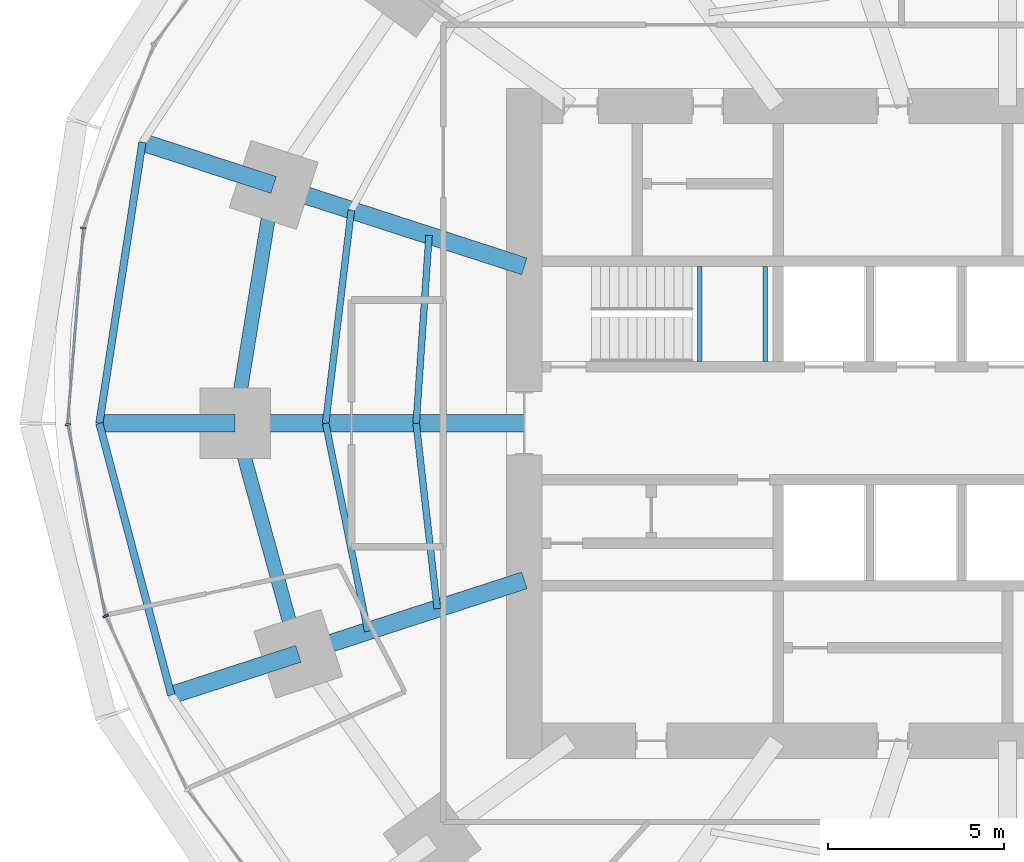
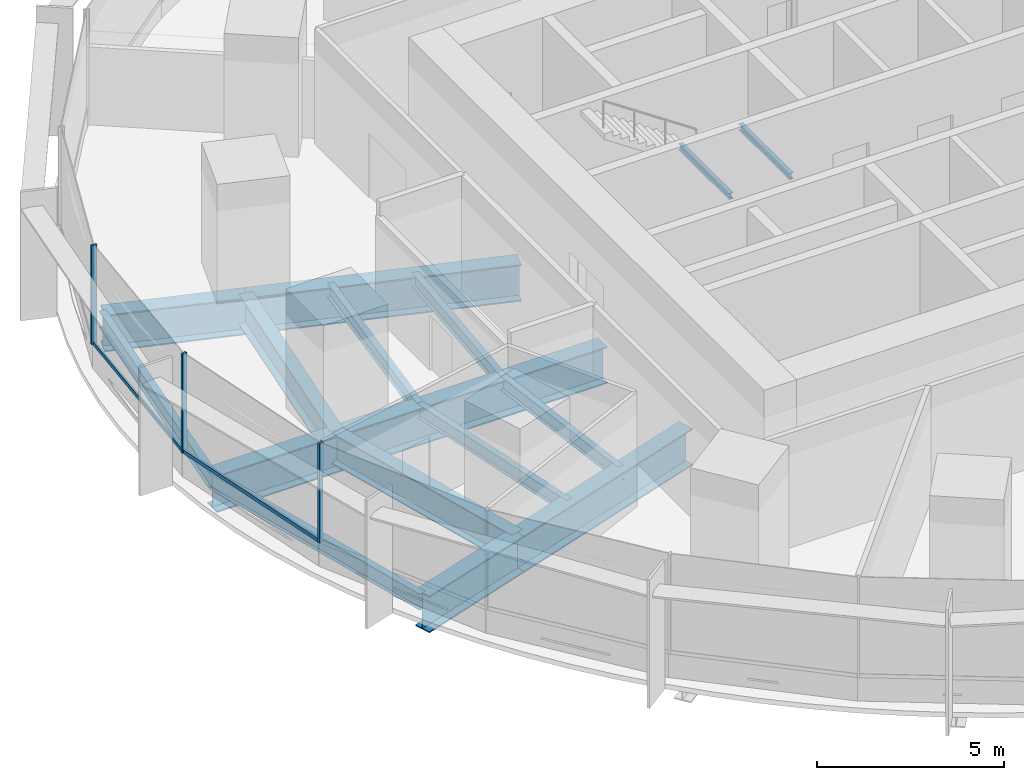
# One storey, part 4 of 15: 16 beams, 5 members, 2 elements without a shape of their own.
"""IFC4 building model written with IfcOpenShell, lengths in metres."""

from ifc_helpers import new_model, si_unit, direction, frame, origin, origin_2d, place, context, subcontext, project, spatial, rectangle, i_section, extrude, material, material_profile, profile_set, type_object, element, aggregate, save


model = new_model("IFC4")

# Units and contexts
model_context = context("Model", 3, precision=1e-05, world=origin(), true_north=direction((0.0, 1.0)))
body_context = subcontext(model_context, "Body", "Model", "MODEL_VIEW")
ifc_project = project(units=[si_unit("LENGTHUNIT", "METRE"), si_unit("AREAUNIT", "SQUARE_METRE"), si_unit("VOLUMEUNIT", "CUBIC_METRE"), si_unit("PLANEANGLEUNIT", "RADIAN"), si_unit("MASSUNIT", "GRAM", prefix="KILO")], contexts=[model_context])

# Site, building, storey
site_placement = place(None, origin())
site = spatial("IfcSite", under=ifc_project, at=site_placement, CompositionType="ELEMENT")
building_placement = place(site_placement, origin())
building = spatial("IfcBuilding", under=site, at=building_placement, Name="Marramba Exchange Tower", CompositionType="ELEMENT")
storey_placement = place(building_placement, frame((0.0, 0.0, 70.0)))
storey = spatial("IfcBuildingStorey", under=building, at=storey_placement, Name="L16", CompositionType="ELEMENT", Elevation=70.0)

# Beams
ifc_material_1 = material(Name="Steel AS/NZS 3679.2 grade 300", Category="steel")
ifc_material_profile_1 = material_profile(ifc_material_1, i_section(OverallWidth=0.5, OverallDepth=1.199951171875, WebThickness=0.01611328125, FlangeThickness=0.0400390625, at=origin_2d()), Name="1200WB455")
ifc_profile_set_1 = profile_set([ifc_material_profile_1], Name="Steel AS/NZS 3679.2 grade 300")
beam_type_1 = type_object("IfcBeamType", Name="Cantilever girder 1200WB455", PredefinedType="BEAM", material=ifc_profile_set_1)
beam_1_placement = place(storey_placement, frame((-20.808349609375, 6.760986328125, -0.760009765625), z_axis=(-0.951058833549, 0.309009862508, 0.0), x_axis=(-0.309009862508, -0.951058833549, 0.0)))
element("IfcBeam", 1, at=beam_1_placement, inside=storey, type_object=beam_type_1, Name="Cantilever girder L16 TC10", PredefinedType="BEAM", context=body_context, shape_type="SweptSolid", body=[
    extrude(i_section(OverallWidth=0.5, OverallDepth=1.199951171875, WebThickness=0.01611328125, FlangeThickness=0.0400390625, at=origin_2d()), origin(), (0.0, 0.0, 1.0), 3.91162109375),
])
beam_2_placement = place(storey_placement, frame((-21.89990234375, 0.0, -0.760009765625), z_axis=(-1.0, 0.0, 0.0), x_axis=(0.0, -1.0, 0.0)))
element("IfcBeam", 2, at=beam_2_placement, inside=storey, type_object=beam_type_1, Name="Cantilever girder L16 TC11", PredefinedType="BEAM", context=body_context, shape_type="SweptSolid", body=[
    extrude(i_section(OverallWidth=0.5, OverallDepth=1.199951171875, WebThickness=0.01611328125, FlangeThickness=0.0400390625, at=origin_2d()), origin(), (0.0, 0.0, 1.0), 3.85009765625),
])
beam_3_placement = place(storey_placement, frame((-20.109375, -6.533935546875, -0.760009765625), z_axis=(-0.951048759501, -0.309040866314, 0.0), x_axis=(0.309040866314, -0.951048759501, 0.0)))
element("IfcBeam", 3, at=beam_3_placement, inside=storey, type_object=beam_type_1, Name="Cantilever girder L16 TC12", PredefinedType="BEAM", context=body_context, shape_type="SweptSolid", body=[
    extrude(i_section(OverallWidth=0.5, OverallDepth=1.199951171875, WebThickness=0.01611328125, FlangeThickness=0.0400390625, at=origin_2d()), origin(), (0.0, 0.0, 1.0), 3.78564453125),
])
ifc_material_2 = material(Name="Steel AS/NZS 3679.1 grade 300", Category="steel")
ifc_material_profile_2 = material_profile(ifc_material_2, i_section(OverallWidth=0.18994140625, OverallDepth=0.4541015625, WebThickness=0.008544921875, FlangeThickness=0.0126953125, FilletRadius=0.011474609375, at=origin_2d()), Name="460UB67.1")
ifc_profile_set_2 = profile_set([ifc_material_profile_2], Name="Steel AS/NZS 3679.1 grade 300")
beam_type_2 = type_object("IfcBeamType", Name="Floor joist 460UB67.1", PredefinedType="JOIST", material=ifc_profile_set_2)
beam_4_placement = place(storey_placement, frame((-16.40283203125, 5.32958984375, -0.386962890625), z_axis=(-0.068096259546, -0.99767875563, 0.0), x_axis=(0.99767875563, -0.068096259546, 0.0)))
element("IfcBeam", 4, at=beam_4_placement, inside=storey, type_object=beam_type_2, Name="Joist L16 bay 10 row 1", PredefinedType="JOIST", context=body_context, shape_type="SweptSolid", body=[
    extrude(i_section(OverallWidth=0.18994140625, OverallDepth=0.4541015625, WebThickness=0.008544921875, FlangeThickness=0.0126953125, FilletRadius=0.011474609375, at=origin_2d()), origin(), (0.0, 0.0, 1.0), 5.342041015625),
])
beam_5_placement = place(storey_placement, frame((-18.60546875, 6.04541015625, -0.386962890625), z_axis=(-0.119523078538, -0.992831422597, 0.0), x_axis=(0.992831422597, -0.119523078538, 0.0)))
element("IfcBeam", 5, at=beam_5_placement, inside=storey, type_object=beam_type_2, Name="Joist L16 bay 10 row 2", PredefinedType="JOIST", context=body_context, shape_type="SweptSolid", body=[
    extrude(i_section(OverallWidth=0.18994140625, OverallDepth=0.4541015625, WebThickness=0.008544921875, FlangeThickness=0.0126953125, FilletRadius=0.011474609375, at=origin_2d()), origin(), (0.0, 0.0, 1.0), 6.089111328125),
])
beam_6_placement = place(storey_placement, frame((-16.7666015625, 0.0, -0.386962890625), z_axis=(0.112888968594, -0.993607609054, 0.0), x_axis=(0.993607609054, 0.112888968594, 0.0)))
element("IfcBeam", 6, at=beam_6_placement, inside=storey, type_object=beam_type_2, Name="Joist L16 bay 11 row 1", PredefinedType="JOIST", context=body_context, shape_type="SweptSolid", body=[
    extrude(i_section(OverallWidth=0.18994140625, OverallDepth=0.4541015625, WebThickness=0.008544921875, FlangeThickness=0.0126953125, FilletRadius=0.011474609375, at=origin_2d()), origin(), (0.0, 0.0, 1.0), 5.28759765625),
])
beam_7_placement = place(storey_placement, frame((-19.333251953125, 0.0, -0.386962890625), z_axis=(0.198489047047, -0.980103105904, 0.0), x_axis=(0.980103105904, 0.198489047047, 0.0)))
element("IfcBeam", 7, at=beam_7_placement, inside=storey, type_object=beam_type_2, Name="Joist L16 bay 11 row 2", PredefinedType="JOIST", context=body_context, shape_type="SweptSolid", body=[
    extrude(i_section(OverallWidth=0.18994140625, OverallDepth=0.4541015625, WebThickness=0.008544921875, FlangeThickness=0.0126953125, FilletRadius=0.011474609375, at=origin_2d()), origin(), (0.0, 0.0, 1.0), 6.013427734375),
])
ifc_material_profile_3 = material_profile(ifc_material_1, i_section(OverallWidth=0.5, OverallDepth=1.199951171875, WebThickness=0.01611328125, FlangeThickness=0.0400390625, at=origin_2d()), Name="1200WB455")
ifc_profile_set_3 = profile_set([ifc_material_profile_3], Name="Steel AS/NZS 3679.2 grade 300")
beam_type_3 = type_object("IfcBeamType", Name="Radial girder 1200WB455", PredefinedType="BEAM", material=ifc_profile_set_3)
beam_8_placement = place(storey_placement, frame((-13.699951171875, 4.451416015625, -0.760009765625), z_axis=(-0.951059990189, 0.309006302624, 0.0), x_axis=(-0.309006302624, -0.951059990189, 0.0)))
element("IfcBeam", 8, at=beam_8_placement, inside=storey, type_object=beam_type_3, Name="Radial girder L16 TC10", PredefinedType="BEAM", context=body_context, shape_type="SweptSolid", body=[
    extrude(i_section(OverallWidth=0.5, OverallDepth=1.199951171875, WebThickness=0.01611328125, FlangeThickness=0.0400390625, at=origin_2d()), origin(), (0.0, 0.0, 1.0), 7.47412109375),
])
beam_9_placement = place(storey_placement, frame((-13.699951171875, 0.0, -0.760009765625), z_axis=(-1.0, 0.0, 0.0), x_axis=(0.0, -1.0, 0.0)))
element("IfcBeam", 9, at=beam_9_placement, inside=storey, type_object=beam_type_3, Name="Radial girder L16 TC11", PredefinedType="BEAM", context=body_context, shape_type="SweptSolid", body=[
    extrude(i_section(OverallWidth=0.5, OverallDepth=1.199951171875, WebThickness=0.01611328125, FlangeThickness=0.0400390625, at=origin_2d()), origin(), (0.0, 0.0, 1.0), 8.199951171875),
])
beam_10_placement = place(storey_placement, frame((-13.699951171875, -4.451416015625, -0.760009765625), z_axis=(-0.951057759669, -0.309013167637, 0.0), x_axis=(0.309013167637, -0.951057759669, 0.0)))
element("IfcBeam", 10, at=beam_10_placement, inside=storey, type_object=beam_type_3, Name="Radial girder L16 TC12", PredefinedType="BEAM", context=body_context, shape_type="SweptSolid", body=[
    extrude(i_section(OverallWidth=0.5, OverallDepth=1.199951171875, WebThickness=0.01611328125, FlangeThickness=0.0400390625, at=origin_2d()), origin(), (0.0, 0.0, 1.0), 6.7392578125),
])
ifc_material_profile_4 = material_profile(ifc_material_1, i_section(OverallWidth=0.39990234375, OverallDepth=1.0, WebThickness=0.01611328125, FlangeThickness=0.031982421875, at=origin_2d()), Name="1000WB322")
ifc_profile_set_4 = profile_set([ifc_material_profile_4], Name="Steel AS/NZS 3679.2 grade 300")
beam_type_4 = type_object("IfcBeamType", Name="Ring beam 1000WB322", PredefinedType="SPANDREL", material=ifc_profile_set_4)
beam_11_placement = place(storey_placement, frame((-20.808349609375, 6.760986328125, -0.659912109375), z_axis=(-0.159384865399, -0.987216523708, 0.0), x_axis=(0.987216523708, -0.159384865399, 0.0)))
element("IfcBeam", 11, at=beam_11_placement, inside=storey, type_object=beam_type_4, Name="Ring beam L16 TC10-TC11", PredefinedType="SPANDREL", context=body_context, shape_type="SweptSolid", body=[
    extrude(i_section(OverallWidth=0.39990234375, OverallDepth=1.0, WebThickness=0.01611328125, FlangeThickness=0.031982421875, at=origin_2d()), origin(), (0.0, 0.0, 1.0), 6.8486328125),
])
beam_12_placement = place(storey_placement, frame((-21.89990234375, 0.0, -0.659912109375), z_axis=(0.264291166956, -0.964442937176, 0.0), x_axis=(0.964442937176, 0.264291166956, 0.0)))
element("IfcBeam", 12, at=beam_12_placement, inside=storey, type_object=beam_type_4, Name="Ring beam L16 TC11-TC12", PredefinedType="SPANDREL", context=body_context, shape_type="SweptSolid", body=[
    extrude(i_section(OverallWidth=0.39990234375, OverallDepth=1.0, WebThickness=0.01611328125, FlangeThickness=0.031982421875, at=origin_2d()), origin(), (0.0, 0.0, 1.0), 6.77490234375),
])
ifc_material_profile_5 = material_profile(ifc_material_2, i_section(OverallWidth=0.208984375, OverallDepth=0.528076171875, WebThickness=0.009521484375, FlangeThickness=0.01318359375, FilletRadius=0.013916015625, at=origin_2d()), Name="530UB82.0")
ifc_profile_set_5 = profile_set([ifc_material_profile_5], Name="Steel AS/NZS 3679.1 grade 300")
beam_type_5 = type_object("IfcBeamType", Name="Slab edge beam 530UB82.0", PredefinedType="SPANDREL", material=ifc_profile_set_5)
beam_13_placement = place(storey_placement, frame((-24.528564453125, 7.9697265625, -0.424072265625), z_axis=(-0.151490591645, -0.988458699513, 0.0), x_axis=(0.988458699513, -0.151490591645, 0.0)))
element("IfcBeam", 13, at=beam_13_placement, inside=storey, type_object=beam_type_5, Name="Slab edge beam L16 TC10-TC11", PredefinedType="SPANDREL", context=body_context, shape_type="SweptSolid", body=[
    extrude(i_section(OverallWidth=0.208984375, OverallDepth=0.528076171875, WebThickness=0.009521484375, FlangeThickness=0.01318359375, FilletRadius=0.013916015625, at=origin_2d()), origin(), (0.0, 0.0, 1.0), 8.062744140625),
])
beam_14_placement = place(storey_placement, frame((-25.75, 0.0, -0.424072265625), z_axis=(0.25601296674, -0.966673347549, 0.0), x_axis=(0.966673347549, 0.25601296674, 0.0)))
element("IfcBeam", 14, at=beam_14_placement, inside=storey, type_object=beam_type_5, Name="Slab edge beam L16 TC11-TC12", PredefinedType="SPANDREL", context=body_context, shape_type="SweptSolid", body=[
    extrude(i_section(OverallWidth=0.208984375, OverallDepth=0.528076171875, WebThickness=0.009521484375, FlangeThickness=0.01318359375, FilletRadius=0.013916015625, at=origin_2d()), origin(), (0.0, 0.0, 1.0), 7.969482421875),
])
ifc_material_profile_6 = material_profile(ifc_material_2, i_section(OverallWidth=0.133056640625, OverallDepth=0.202880859375, WebThickness=0.005859375, FlangeThickness=0.0078125, FilletRadius=0.0087890625, at=origin_2d()), Name="200UB25.4")
ifc_profile_set_6 = profile_set([ifc_material_profile_6], Name="Steel AS/NZS 3679.1 grade 300")
beam_type_6 = type_object("IfcBeamType", Name="Stair landing beam 200UB25.4", PredefinedType="BEAM", material=ifc_profile_set_6)
for number, where, z_axis, x_axis, name in (
    (15, (-8.723388671875, 1.75, 1.798583984375), (0.0, 1.0, 0.0), (-1.0, 0.0, 0.0), "Stair landing beam SLB1 ST1 L16 1"),
    (16, (-6.866455078125, 1.75, 1.798583984375), (0.0, 1.0, 0.0), (-1.0, 0.0, 0.0), "Stair landing beam SLB1 ST1 L16 2"),
):
    element("IfcBeam", number, at=place(storey_placement, frame(where, z_axis=z_axis, x_axis=x_axis)), inside=storey, type_object=beam_type_6, Name=name, PredefinedType="BEAM", context=body_context, shape_type="SweptSolid", body=[
        extrude(i_section(OverallWidth=0.133056640625, OverallDepth=0.202880859375, WebThickness=0.005859375, FlangeThickness=0.0078125, FilletRadius=0.0087890625, at=origin_2d()), origin(), (0.0, 0.0, 1.0), 2.699951171875),
    ])

# Curtain wall, member
ifc_material_3 = material(Name="Aluminium framing, bronze anodised", Category="aluminium")
curtain_wall_type = type_object("IfcCurtainWallType", Name="Trading floor ribbon curtain wall", PredefinedType="USERDEFINED", material=ifc_material_3)
curtain_wall_1_placement = place(storey_placement, origin())
curtain_wall_1 = element("IfcCurtainWall", 17, at=curtain_wall_1_placement, inside=storey, type_object=curtain_wall_type, Name="Curtain wall CW3 L16 F11-F15", ObjectType="RIBBON CURTAIN WALL", PredefinedType="USERDEFINED")
ifc_material_4 = material(Name="Aluminium mullion, bronze anodised", Category="aluminium")
ifc_material_profile_7 = material_profile(ifc_material_4, rectangle(XDim=0.159912109375, YDim=0.06005859375, at=origin_2d()), Name="CW3 mullion 60x160")
ifc_profile_set_7 = profile_set([ifc_material_profile_7], Name="Aluminium mullion, bronze anodised")
member_type_1 = type_object("IfcMemberType", Name="Trading floor ribbon curtain wall mullion", PredefinedType="MULLION", material=ifc_profile_set_7)
member_1_placement = place(storey_placement, frame((-26.203857421875, 5.539306640625, 0.800048828125), z_axis=(0.0, 0.0, 1.0), x_axis=(0.996772736434, -0.080275225953, 0.0)))
member_1 = element("IfcMember", 18, at=member_1_placement, type_object=member_type_1, Name="CW3 mullion 1", PredefinedType="MULLION", context=body_context, shape_type="SweptSolid", body=[
    extrude(rectangle(XDim=0.159912109375, YDim=0.06005859375, at=origin_2d()), origin(), (0.0, 0.0, 1.0), 3.239990234375),
])

# Curtain wall, members
curtain_wall_2_placement = place(storey_placement, origin())
curtain_wall_2 = element("IfcCurtainWall", 19, at=curtain_wall_2_placement, inside=storey, type_object=curtain_wall_type, Name="Curtain wall CW3 L16 F16-F20", ObjectType="RIBBON CURTAIN WALL", PredefinedType="USERDEFINED")
member_2_placement = place(storey_placement, frame((-26.644287109375, -0.029541015625, 0.800048828125), z_axis=(0.0, 0.0, 1.0), x_axis=(0.981346261612, 0.1922485756, 0.0)))
member_2 = element("IfcMember", 20, at=member_2_placement, type_object=member_type_1, Name="CW3 mullion 1", PredefinedType="MULLION", context=body_context, shape_type="SweptSolid", body=[
    extrude(rectangle(XDim=0.159912109375, YDim=0.06005859375, at=origin_2d()), origin(), (0.0, 0.0, 1.0), 3.239990234375),
])
member_3_placement = place(storey_placement, frame((-25.572021484375, -5.46533203125, 0.800048828125), z_axis=(0.0, 0.0, 1.0), x_axis=(0.905906758768, 0.423477206492, 0.0)))
member_3 = element("IfcMember", 21, at=member_3_placement, type_object=member_type_1, Name="CW3 mullion 1", PredefinedType="MULLION", context=body_context, shape_type="SweptSolid", body=[
    extrude(rectangle(XDim=0.159912109375, YDim=0.06005859375, at=origin_2d()), origin(), (0.0, 0.0, 1.0), 3.239990234375),
])

# Member
ifc_material_5 = material(Name="Aluminium transom, bronze anodised", Category="aluminium")
ifc_material_profile_8 = material_profile(ifc_material_5, rectangle(XDim=0.06005859375, YDim=0.1201171875, at=origin_2d()), Name="CW3 transom 60x120")
ifc_profile_set_8 = profile_set([ifc_material_profile_8], Name="Aluminium transom, bronze anodised")
member_type_2 = type_object("IfcMemberType", Name="Trading floor ribbon curtain wall transom", PredefinedType="USERDEFINED", material=ifc_profile_set_8)
member_4_placement = place(storey_placement, frame((-26.206298828125, 5.509521484375, 0.830078125), z_axis=(-0.080256075865, -0.996774278504, 0.0), x_axis=(0.996774278504, -0.080256075865, 0.0)))
member_4 = element("IfcMember", 22, at=member_4_placement, type_object=member_type_2, Name="CW3 sill transom", ObjectType="TRANSOM", PredefinedType="USERDEFINED", context=body_context, shape_type="SweptSolid", body=[
    extrude(rectangle(XDim=0.06005859375, YDim=0.1201171875, at=origin_2d()), origin(), (0.0, 0.0, 1.0), 5.52734375),
])

aggregate(curtain_wall_1, [member_1, member_4])

member_5_placement = place(storey_placement, frame((-26.638427734375, -0.058837890625, 0.830078125), z_axis=(0.192226081646, -0.981350667975, 0.0), x_axis=(0.981350667975, 0.192226081646, 0.0)))
member_5 = element("IfcMember", 23, at=member_5_placement, type_object=member_type_2, Name="CW3 sill transom", ObjectType="TRANSOM", PredefinedType="USERDEFINED", context=body_context, shape_type="SweptSolid", body=[
    extrude(rectangle(XDim=0.06005859375, YDim=0.1201171875, at=origin_2d()), origin(), (0.0, 0.0, 1.0), 5.481689453125),
])

aggregate(curtain_wall_2, [member_2, member_5, member_3])

save(model, "model.ifc")
